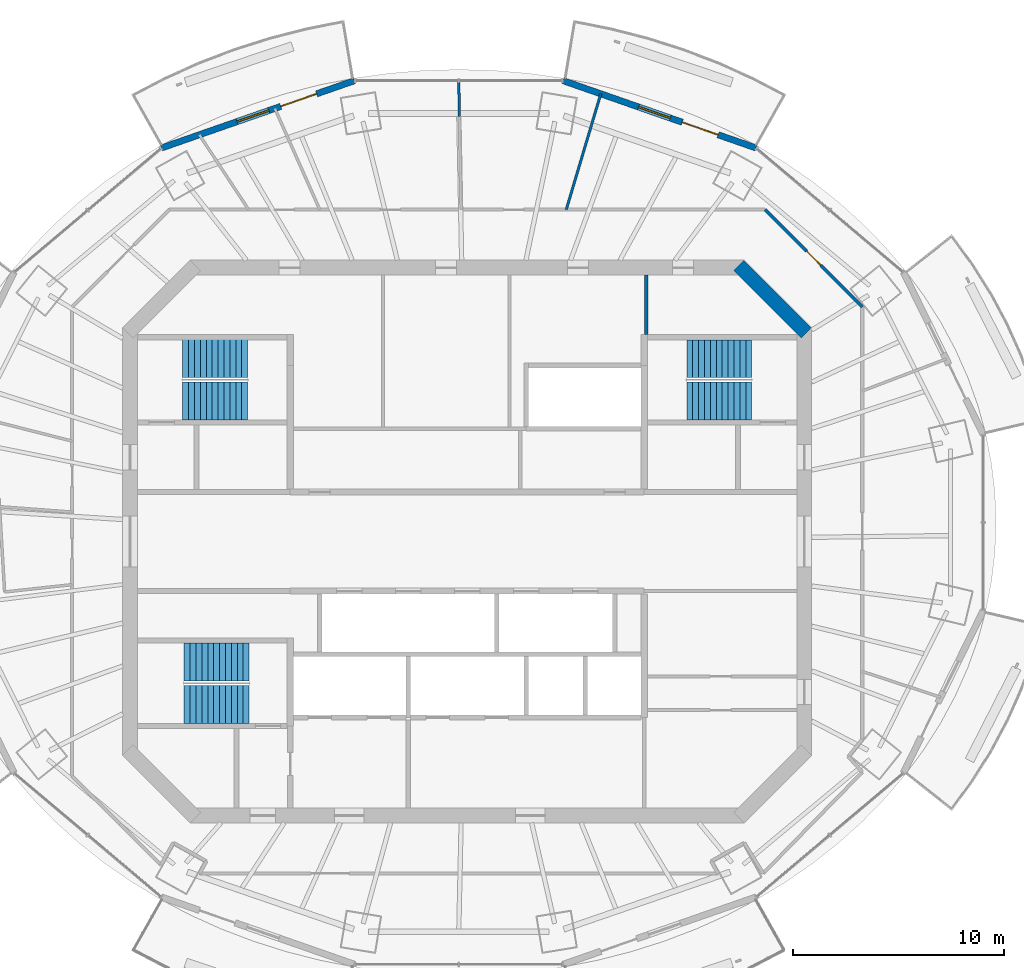
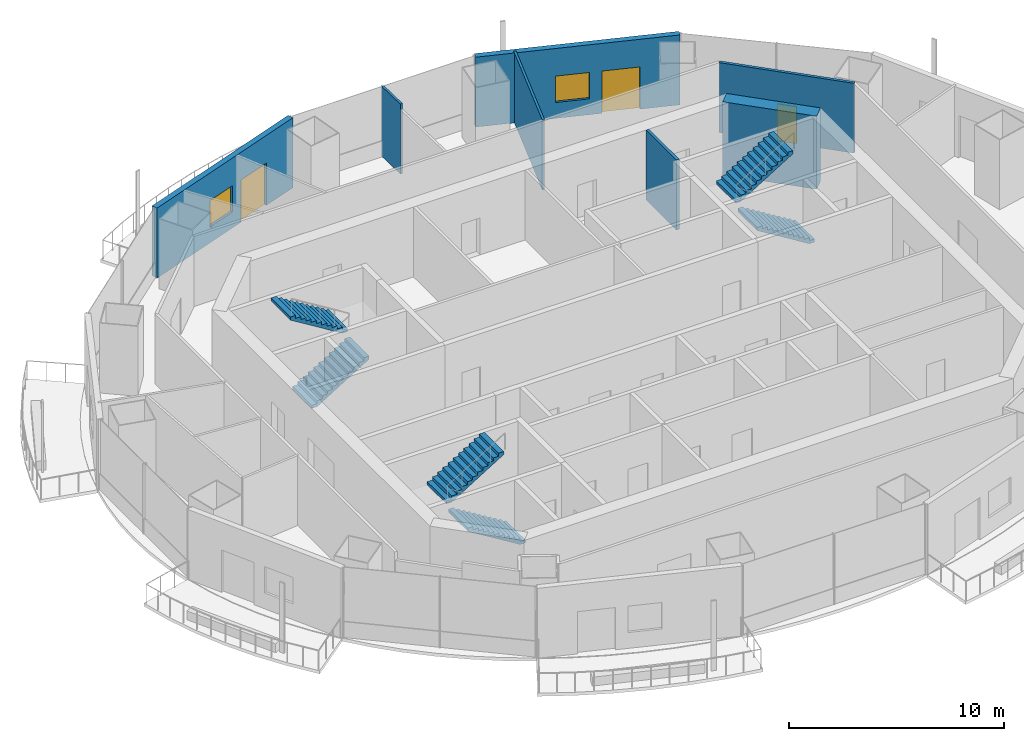
# One storey, part 11 of 15: 7 walls, 6 stair flights, 3 doors, 2 windows, 5 openings, 3 elements without a shape of their own.
"""IFC4 building model written with IfcOpenShell, lengths in metres."""

from ifc_helpers import new_model, si_unit, direction, frame, frame_2d, origin, place, context, subcontext, project, spatial, polyline, rectangle, outline, extrude, material, layer, layer_set, type_object, element, fill, aggregate, save


model = new_model("IFC4")

# Units and contexts
model_context = context("Model", 3, precision=1e-05, world=origin(), true_north=direction((0.0, 1.0)))
body_context = subcontext(model_context, "Body", "Model", "MODEL_VIEW")
ifc_project = project(units=[si_unit("LENGTHUNIT", "METRE"), si_unit("AREAUNIT", "SQUARE_METRE"), si_unit("VOLUMEUNIT", "CUBIC_METRE"), si_unit("PLANEANGLEUNIT", "RADIAN"), si_unit("MASSUNIT", "GRAM", prefix="KILO")], contexts=[model_context])

# Site, building, storey
site_placement = place(None, origin())
site = spatial("IfcSite", under=ifc_project, at=site_placement, CompositionType="ELEMENT")
building_placement = place(site_placement, origin())
building = spatial("IfcBuilding", under=site, at=building_placement, Name="Marenthal Gate Tower", CompositionType="ELEMENT")
storey_placement = place(building_placement, frame((0.0, 0.0, 388.25)))
storey = spatial("IfcBuildingStorey", under=building, at=storey_placement, Name="L88", CompositionType="ELEMENT", Elevation=388.25)

# Walls
ifc_material_1 = material(Name="Concrete 60 MPa", Category="concrete")
ifc_layer_1 = layer(ifc_material_1, 0.699951171875)
ifc_layer_set_1 = layer_set([ifc_layer_1], Name="Core shear wall 700")
wall_type_1 = type_object("IfcWallType", Name="Core shear wall 700", PredefinedType="SHEAR", material=ifc_layer_set_1)
wall_1_placement = place(storey_placement, frame((16.1025390625, 9.8974609375, -0.179931640625), z_axis=(0.0, 0.0, 1.0), x_axis=(-0.707106781187, 0.707106781187, 0.0)))
element("IfcWall", 1, at=wall_1_placement, inside=storey, type_object=wall_type_1, Name="Core wall 03", PredefinedType="SHEAR", context=body_context, shape_type="SweptSolid", body=[
    extrude(rectangle(XDim=4.53271484375, YDim=0.699951171875, at=frame_2d((2.266357421875, 0.0))), origin(), (0.0, 0.0, 1.0), 4.14990234375),
])
ifc_material_2 = material(Name="Gypsum board on steel studs", Category="steel")
ifc_layer_2 = layer(ifc_material_2, 0.1201171875)
ifc_layer_set_2 = layer_set([ifc_layer_2], Name="Partition 120")
wall_type_2 = type_object("IfcWallType", Name="Partition 120", PredefinedType="PARTITIONING", material=ifc_layer_set_2)
wall_2_placement = place(storey_placement, frame((-0.369140625, 20.1806640625, 0.0), z_axis=(0.0, 0.0, 1.0), x_axis=(-0.018215600688, 0.999834082181, 0.0)))
element("IfcWall", 2, at=wall_2_placement, inside=storey, type_object=wall_type_2, Name="Partition wall 79", PredefinedType="PARTITIONING", context=body_context, shape_type="SweptSolid", body=[
    extrude(rectangle(XDim=1.688720703125, YDim=0.1201171875, at=frame_2d((0.84423828125, 0.0))), origin(), (0.0, 0.0, 1.0), 3.969970703125),
])
wall_3_placement = place(storey_placement, frame((4.70068359375, 15.75, 0.0), z_axis=(0.0, 0.0, 1.0), x_axis=(0.285976596547, 0.958236602425, 0.0)))
element("IfcWall", 3, at=wall_3_placement, inside=storey, type_object=wall_type_2, Name="Partition wall 66", PredefinedType="PARTITIONING", context=body_context, shape_type="SweptSolid", body=[
    extrude(rectangle(XDim=5.734375, YDim=0.1201171875, at=frame_2d((2.8671875, 0.0))), origin(), (0.0, 0.0, 1.0), 3.969970703125),
])
ifc_material_3 = material(Name="Gypsum board on steel studs", Category="steel")
ifc_layer_3 = layer(ifc_material_3, 0.14990234375)
ifc_layer_set_3 = layer_set([ifc_layer_3], Name="Partition 150")
wall_type_3 = type_object("IfcWallType", Name="Partition 150", PredefinedType="PARTITIONING", material=ifc_layer_set_3)
wall_4_placement = place(storey_placement, frame((8.5, 9.824951171875, 0.0), z_axis=(0.0, 0.0, 1.0), x_axis=(0.0, 1.0, 0.0)))
element("IfcWall", 4, at=wall_4_placement, inside=storey, type_object=wall_type_3, Name="Partition wall 50", PredefinedType="PARTITIONING", context=body_context, shape_type="SweptSolid", body=[
    extrude(rectangle(XDim=2.824951171875, YDim=0.14990234375, at=frame_2d((1.41259765625, 0.0))), origin(), (0.0, 0.0, 1.0), 3.969970703125),
])

# Wall, opening, door
wall_5_placement = place(storey_placement, frame((14.13916015625, 15.75, 0.0), z_axis=(0.0, 0.0, 1.0), x_axis=(0.707106781187, -0.707106781187, 0.0)))
wall_5 = element("IfcWall", 5, at=wall_5_placement, inside=storey, type_object=wall_type_3, Name="Partition wall 71", PredefinedType="PARTITIONING", context=body_context, shape_type="SweptSolid", body=[
    extrude(rectangle(XDim=6.520751953125, YDim=0.14990234375, at=frame_2d((3.26025390625, 0.0))), origin(), (0.0, 0.0, 1.0), 3.969970703125),
])
opening_1_placement = place(wall_5_placement, frame((2.784912109375, 0.0, 0.0)))
opening_1 = element("IfcOpeningElement", 6, at=opening_1_placement, cuts=wall_5, Name="Opening D016.01", PredefinedType="OPENING", context=body_context, shape_type="SweptSolid", body=[
    extrude(rectangle(XDim=0.949951171875, YDim=2.10009765625, at=frame_2d((0.47509765625, 1.050048828125))), frame((0.0, 0.0849609375, 0.0), z_axis=(0.0, -1.0, 0.0), x_axis=(1.0, 0.0, 0.0)), (0.0, 0.0, 1.0), 0.169921875),
])
ifc_material_4 = material(Name="Timber door", Category="wood")
door_type_1 = type_object("IfcDoorType", Name="Door 950 x 2100", OperationType="NOTDEFINED", PredefinedType="DOOR", material=ifc_material_4)
door_1_placement = place(opening_1_placement, origin())
door_1 = element("IfcDoor", 7, at=door_1_placement, inside=storey, type_object=door_type_1, Name="Door D016.01", OperationType="SINGLE_SWING_RIGHT", OverallHeight=2.10009765625, OverallWidth=0.949951171875, PredefinedType="DOOR", context=body_context, shape_type="SweptSolid", body=[
    extrude(rectangle(XDim=0.949951171875, YDim=2.10009765625, at=frame_2d((0.47509765625, 1.050048828125))), frame((0.0, 0.02490234375, 0.0), z_axis=(0.0, -1.0, 0.0), x_axis=(1.0, 0.0, 0.0)), (0.0, 0.0, 1.0), 0.050048828125),
])
fill(opening_1, door_1)

# Wall, openings, door, window
ifc_material_5 = material(Name="Terracotta cladding on insulated concrete-block backing", Category="masonry")
ifc_layer_4 = layer(ifc_material_5, 0.300048828125)
ifc_layer_set_4 = layer_set([ifc_layer_4], Name="Terracotta facade wall 300")
wall_type_4 = type_object("IfcWallType", Name="Terracotta facade wall 300", PredefinedType="SOLIDWALL", material=ifc_layer_set_4)
wall_6_placement = place(storey_placement, frame((13.700439453125, 18.6767578125, 0.0), z_axis=(0.0, 0.0, 1.0), x_axis=(-0.944174121216, 0.329446852809, 0.0)))
wall_6 = element("IfcWall", 8, at=wall_6_placement, inside=storey, type_object=wall_type_4, Name="Terracotta facade wall L88 bay 3", PredefinedType="SOLIDWALL", context=body_context, shape_type="SweptSolid", body=[
    extrude(rectangle(XDim=9.690185546875, YDim=0.300048828125, at=frame_2d((4.84521484375, 0.0))), origin(), (0.0, 0.0, 1.0), 3.969970703125),
])
opening_2_placement = place(wall_6_placement, frame((1.89990234375, 0.0, 0.0)))
opening_2 = element("IfcOpeningElement", 9, at=opening_2_placement, cuts=wall_6, Name="Opening BD-L88-03", PredefinedType="OPENING", context=body_context, shape_type="SweptSolid", body=[
    extrude(rectangle(XDim=1.800048828125, YDim=2.39990234375, at=frame_2d((0.89990234375, 1.199951171875))), frame((0.0, 0.16015625, 0.0), z_axis=(0.0, -1.0, 0.0), x_axis=(1.0, 0.0, 0.0)), (0.0, 0.0, 1.0), 0.320068359375),
])
opening_3_placement = place(wall_6_placement, frame((4.300048828125, 0.0, 0.89990234375)))
opening_3 = element("IfcOpeningElement", 10, at=opening_3_placement, cuts=wall_6, Name="Opening WN3-L88-03", PredefinedType="OPENING", context=body_context, shape_type="SweptSolid", body=[
    extrude(rectangle(XDim=1.60009765625, YDim=1.5, at=frame_2d((0.800048828125, 0.75))), frame((0.0, 0.16015625, 0.0), z_axis=(0.0, -1.0, 0.0), x_axis=(1.0, 0.0, 0.0)), (0.0, 0.0, 1.0), 0.320068359375),
])
ifc_material_6 = material(Name="Aluminium and glass", Category="aluminium")
door_type_2 = type_object("IfcDoorType", Name="Balcony door 1800x2400", OperationType="DOUBLE_DOOR_SINGLE_SWING", PredefinedType="DOOR", material=ifc_material_6)
door_2_placement = place(opening_2_placement, origin())
door_2 = element("IfcDoor", 11, at=door_2_placement, inside=storey, type_object=door_type_2, Name="Balcony door L88 bay 3", OperationType="SINGLE_SWING_LEFT", OverallHeight=2.39990234375, OverallWidth=1.800048828125, PredefinedType="DOOR", context=body_context, shape_type="SweptSolid", body=[
    extrude(rectangle(XDim=1.800048828125, YDim=2.39990234375, at=frame_2d((0.89990234375, 1.199951171875))), frame((0.0, 0.02490234375, 0.0), z_axis=(0.0, -1.0, 0.0), x_axis=(1.0, 0.0, 0.0)), (0.0, 0.0, 1.0), 0.050048828125),
])
fill(opening_2, door_2)
ifc_material_7 = material(Name="Aluminium and glass", Category="aluminium")
window_type = type_object("IfcWindowType", Name="Window 1600x1500", PartitioningType="DOUBLE_PANEL_VERTICAL", PredefinedType="WINDOW", material=ifc_material_7)
window_1_placement = place(opening_3_placement, origin())
window_1 = element("IfcWindow", 12, at=window_1_placement, inside=storey, type_object=window_type, Name="Window L88 bay 3", OverallHeight=1.5, OverallWidth=1.60009765625, PartitioningType="SINGLE_PANEL", PredefinedType="WINDOW", context=body_context, shape_type="SweptSolid", body=[
    extrude(rectangle(XDim=1.60009765625, YDim=1.5, at=frame_2d((0.800048828125, 0.75))), frame((0.0, 0.030029296875, 0.0), z_axis=(0.0, -1.0, 0.0), x_axis=(1.0, 0.0, 0.0)), (0.0, 0.0, 1.0), 0.06005859375),
])
fill(opening_3, window_1)

wall_7_placement = place(storey_placement, frame((-5.351318359375, 21.869140625, 0.0), z_axis=(0.0, 0.0, 1.0), x_axis=(-0.944174121216, -0.329446852809, 0.0)))
wall_7 = element("IfcWall", 13, at=wall_7_placement, inside=storey, type_object=wall_type_4, Name="Terracotta facade wall L88 bay 5", PredefinedType="SOLIDWALL", context=body_context, shape_type="SweptSolid", body=[
    extrude(rectangle(XDim=9.690185546875, YDim=0.300048828125, at=frame_2d((4.84521484375, 0.0))), origin(), (0.0, 0.0, 1.0), 3.969970703125),
])
opening_4_placement = place(wall_7_placement, frame((1.89990234375, 0.0, 0.0)))
opening_4 = element("IfcOpeningElement", 14, at=opening_4_placement, cuts=wall_7, Name="Opening BD-L88-05", PredefinedType="OPENING", context=body_context, shape_type="SweptSolid", body=[
    extrude(rectangle(XDim=1.800048828125, YDim=2.39990234375, at=frame_2d((0.89990234375, 1.199951171875))), frame((0.0, 0.16015625, 0.0), z_axis=(0.0, -1.0, 0.0), x_axis=(1.0, 0.0, 0.0)), (0.0, 0.0, 1.0), 0.320068359375),
])
opening_5_placement = place(wall_7_placement, frame((4.300048828125, 0.0, 0.89990234375)))
opening_5 = element("IfcOpeningElement", 15, at=opening_5_placement, cuts=wall_7, Name="Opening WN3-L88-05", PredefinedType="OPENING", context=body_context, shape_type="SweptSolid", body=[
    extrude(rectangle(XDim=1.60009765625, YDim=1.5, at=frame_2d((0.800048828125, 0.75))), frame((0.0, 0.16015625, 0.0), z_axis=(0.0, -1.0, 0.0), x_axis=(1.0, 0.0, 0.0)), (0.0, 0.0, 1.0), 0.320068359375),
])
door_3_placement = place(opening_4_placement, origin())
door_3 = element("IfcDoor", 16, at=door_3_placement, inside=storey, type_object=door_type_2, Name="Balcony door L88 bay 5", OperationType="SINGLE_SWING_LEFT", OverallHeight=2.39990234375, OverallWidth=1.800048828125, PredefinedType="DOOR", context=body_context, shape_type="SweptSolid", body=[
    extrude(rectangle(XDim=1.800048828125, YDim=2.39990234375, at=frame_2d((0.89990234375, 1.199951171875))), frame((0.0, 0.02490234375, 0.0), z_axis=(0.0, -1.0, 0.0), x_axis=(1.0, 0.0, 0.0)), (0.0, 0.0, 1.0), 0.050048828125),
])
fill(opening_4, door_3)
window_2_placement = place(opening_5_placement, origin())
window_2 = element("IfcWindow", 17, at=window_2_placement, inside=storey, type_object=window_type, Name="Window L88 bay 5", OverallHeight=1.5, OverallWidth=1.60009765625, PartitioningType="SINGLE_PANEL", PredefinedType="WINDOW", context=body_context, shape_type="SweptSolid", body=[
    extrude(rectangle(XDim=1.60009765625, YDim=1.5, at=frame_2d((0.800048828125, 0.75))), frame((0.0, 0.030029296875, 0.0), z_axis=(0.0, -1.0, 0.0), x_axis=(1.0, 0.0, 0.0)), (0.0, 0.0, 1.0), 0.06005859375),
])
fill(opening_5, window_2)

# Stair, stair flights
ifc_material_8 = material(Name="Concrete 40 MPa", Category="concrete")
stair_type = type_object("IfcStairType", Name="Exit stair 1800", PredefinedType="HALF_TURN_STAIR", material=ifc_material_8)
stair_1_placement = place(storey_placement, origin())
stair_1 = element("IfcStair", 18, at=stair_1_placement, inside=storey, type_object=stair_type, Name="Stair ST1", PredefinedType="HALF_TURN_STAIR")
ifc_material_9 = material(Name="Concrete 40 MPa", Category="concrete")
stair_flight_type = type_object("IfcStairFlightType", Name="Stair flight 1800", PredefinedType="STRAIGHT", material=ifc_material_9)
stair_flight_1_placement = place(storey_placement, frame((-13.5, 6.675048828125, 0.0), z_axis=(0.0, 0.0, 1.0), x_axis=(1.0, 0.0, 0.0)))
stair_flight_1 = element("IfcStairFlight", 19, at=stair_flight_1_placement, type_object=stair_flight_type, Name="ST1 flight 1", NumberOfRisers=12, NumberOfTreads=11, PredefinedType="STRAIGHT", RiserHeight=0.172916667, TreadLength=0.28, context=body_context, shape_type="SweptSolid", body=[
    extrude(outline(polyline([(0.0, 0.0), (0.0, 0.1728515625), (0.280029296875, 0.1728515625), (0.280029296875, 0.345947265625), (0.56005859375, 0.345947265625), (0.56005859375, 0.518798828125), (0.840087890625, 0.518798828125), (0.840087890625, 0.691650390625), (1.1201171875, 0.691650390625), (1.1201171875, 0.864501953125), (1.39990234375, 0.864501953125), (1.39990234375, 1.03759765625), (1.679931640625, 1.03759765625), (1.679931640625, 1.21044921875), (1.9599609375, 1.21044921875), (1.9599609375, 1.38330078125), (2.239990234375, 1.38330078125), (2.239990234375, 1.55615234375), (2.52001953125, 1.55615234375), (2.52001953125, 1.729248046875), (2.800048828125, 1.729248046875), (2.800048828125, 1.902099609375), (3.080078125, 1.902099609375), (3.080078125, 2.074951171875), (3.080078125, 1.725830078125), (0.285400390625, 0.0), (0.0, 0.0)])), frame((0.0, 0.89990234375, 0.0), z_axis=(0.0, -1.0, 0.0), x_axis=(1.0, 0.0, 0.0)), (0.0, 0.0, 1.0), 1.800048828125),
])
stair_flight_2_placement = place(storey_placement, frame((-10.419921875, 8.675048828125, 2.074951171875), z_axis=(0.0, 0.0, 1.0), x_axis=(-1.0, 0.0, 0.0)))
stair_flight_2 = element("IfcStairFlight", 20, at=stair_flight_2_placement, type_object=stair_flight_type, Name="ST1 flight 2", NumberOfRisers=12, NumberOfTreads=11, PredefinedType="STRAIGHT", RiserHeight=0.172916667, TreadLength=0.28, context=body_context, shape_type="SweptSolid", body=[
    extrude(outline(polyline([(0.0, 0.0), (0.0, 0.1728515625), (0.280029296875, 0.1728515625), (0.280029296875, 0.345947265625), (0.56005859375, 0.345947265625), (0.56005859375, 0.518798828125), (0.840087890625, 0.518798828125), (0.840087890625, 0.691650390625), (1.1201171875, 0.691650390625), (1.1201171875, 0.864501953125), (1.39990234375, 0.864501953125), (1.39990234375, 1.03759765625), (1.679931640625, 1.03759765625), (1.679931640625, 1.21044921875), (1.9599609375, 1.21044921875), (1.9599609375, 1.38330078125), (2.239990234375, 1.38330078125), (2.239990234375, 1.55615234375), (2.52001953125, 1.55615234375), (2.52001953125, 1.729248046875), (2.800048828125, 1.729248046875), (2.800048828125, 1.902099609375), (3.080078125, 1.902099609375), (3.080078125, 2.074951171875), (3.080078125, 1.725830078125), (0.285400390625, 0.0), (0.0, 0.0)])), frame((0.0, 0.89990234375, 0.0), z_axis=(0.0, -1.0, 0.0), x_axis=(1.0, 0.0, 0.0)), (0.0, 0.0, 1.0), 1.800048828125),
])
aggregate(stair_1, [stair_flight_1, stair_flight_2])

stair_2_placement = place(storey_placement, origin())
stair_2 = element("IfcStair", 21, at=stair_2_placement, inside=storey, type_object=stair_type, Name="Stair ST2", PredefinedType="HALF_TURN_STAIR")
stair_flight_3_placement = place(storey_placement, frame((-10.35009765625, -7.72509765625, 0.0), z_axis=(0.0, 0.0, 1.0), x_axis=(-1.0, 0.0, 0.0)))
stair_flight_3 = element("IfcStairFlight", 22, at=stair_flight_3_placement, type_object=stair_flight_type, Name="ST2 flight 1", NumberOfRisers=12, NumberOfTreads=11, PredefinedType="STRAIGHT", RiserHeight=0.172916667, TreadLength=0.28, context=body_context, shape_type="SweptSolid", body=[
    extrude(outline(polyline([(0.0, 0.0), (0.0, 0.1728515625), (0.280029296875, 0.1728515625), (0.280029296875, 0.345947265625), (0.56005859375, 0.345947265625), (0.56005859375, 0.518798828125), (0.840087890625, 0.518798828125), (0.840087890625, 0.691650390625), (1.1201171875, 0.691650390625), (1.1201171875, 0.864501953125), (1.39990234375, 0.864501953125), (1.39990234375, 1.03759765625), (1.679931640625, 1.03759765625), (1.679931640625, 1.21044921875), (1.9599609375, 1.21044921875), (1.9599609375, 1.38330078125), (2.239990234375, 1.38330078125), (2.239990234375, 1.55615234375), (2.52001953125, 1.55615234375), (2.52001953125, 1.729248046875), (2.800048828125, 1.729248046875), (2.800048828125, 1.902099609375), (3.080078125, 1.902099609375), (3.080078125, 2.074951171875), (3.080078125, 1.725830078125), (0.285400390625, 0.0), (0.0, 0.0)])), frame((0.0, 0.89990234375, 0.0), z_axis=(0.0, -1.0, 0.0), x_axis=(1.0, 0.0, 0.0)), (0.0, 0.0, 1.0), 1.800048828125),
])
stair_flight_4_placement = place(storey_placement, frame((-13.429931640625, -5.72509765625, 2.074951171875), z_axis=(0.0, 0.0, 1.0), x_axis=(1.0, 0.0, 0.0)))
stair_flight_4 = element("IfcStairFlight", 23, at=stair_flight_4_placement, type_object=stair_flight_type, Name="ST2 flight 2", NumberOfRisers=12, NumberOfTreads=11, PredefinedType="STRAIGHT", RiserHeight=0.172916667, TreadLength=0.28, context=body_context, shape_type="SweptSolid", body=[
    extrude(outline(polyline([(0.0, 0.0), (0.0, 0.1728515625), (0.280029296875, 0.1728515625), (0.280029296875, 0.345947265625), (0.56005859375, 0.345947265625), (0.56005859375, 0.518798828125), (0.840087890625, 0.518798828125), (0.840087890625, 0.691650390625), (1.1201171875, 0.691650390625), (1.1201171875, 0.864501953125), (1.39990234375, 0.864501953125), (1.39990234375, 1.03759765625), (1.679931640625, 1.03759765625), (1.679931640625, 1.21044921875), (1.9599609375, 1.21044921875), (1.9599609375, 1.38330078125), (2.239990234375, 1.38330078125), (2.239990234375, 1.55615234375), (2.52001953125, 1.55615234375), (2.52001953125, 1.729248046875), (2.800048828125, 1.729248046875), (2.800048828125, 1.902099609375), (3.080078125, 1.902099609375), (3.080078125, 2.074951171875), (3.080078125, 1.725830078125), (0.285400390625, 0.0), (0.0, 0.0)])), frame((0.0, 0.89990234375, 0.0), z_axis=(0.0, -1.0, 0.0), x_axis=(1.0, 0.0, 0.0)), (0.0, 0.0, 1.0), 1.800048828125),
])
aggregate(stair_2, [stair_flight_3, stair_flight_4])

stair_3_placement = place(storey_placement, origin())
stair_3 = element("IfcStair", 24, at=stair_3_placement, inside=storey, type_object=stair_type, Name="Stair ST3", PredefinedType="HALF_TURN_STAIR")
stair_flight_5_placement = place(storey_placement, frame((13.5, 6.675048828125, 0.0), z_axis=(0.0, 0.0, 1.0), x_axis=(-1.0, 0.0, 0.0)))
stair_flight_5 = element("IfcStairFlight", 25, at=stair_flight_5_placement, type_object=stair_flight_type, Name="ST3 flight 1", NumberOfRisers=12, NumberOfTreads=11, PredefinedType="STRAIGHT", RiserHeight=0.172916667, TreadLength=0.28, context=body_context, shape_type="SweptSolid", body=[
    extrude(outline(polyline([(0.0, 0.0), (0.0, 0.1728515625), (0.280029296875, 0.1728515625), (0.280029296875, 0.345947265625), (0.56005859375, 0.345947265625), (0.56005859375, 0.518798828125), (0.840087890625, 0.518798828125), (0.840087890625, 0.691650390625), (1.1201171875, 0.691650390625), (1.1201171875, 0.864501953125), (1.39990234375, 0.864501953125), (1.39990234375, 1.03759765625), (1.679931640625, 1.03759765625), (1.679931640625, 1.21044921875), (1.9599609375, 1.21044921875), (1.9599609375, 1.38330078125), (2.239990234375, 1.38330078125), (2.239990234375, 1.55615234375), (2.52001953125, 1.55615234375), (2.52001953125, 1.729248046875), (2.800048828125, 1.729248046875), (2.800048828125, 1.902099609375), (3.080078125, 1.902099609375), (3.080078125, 2.074951171875), (3.080078125, 1.725830078125), (0.285400390625, 0.0), (0.0, 0.0)])), frame((0.0, 0.89990234375, 0.0), z_axis=(0.0, -1.0, 0.0), x_axis=(1.0, 0.0, 0.0)), (0.0, 0.0, 1.0), 1.800048828125),
])
stair_flight_6_placement = place(storey_placement, frame((10.419921875, 8.675048828125, 2.074951171875), z_axis=(0.0, 0.0, 1.0), x_axis=(1.0, 0.0, 0.0)))
stair_flight_6 = element("IfcStairFlight", 26, at=stair_flight_6_placement, type_object=stair_flight_type, Name="ST3 flight 2", NumberOfRisers=12, NumberOfTreads=11, PredefinedType="STRAIGHT", RiserHeight=0.172916667, TreadLength=0.28, context=body_context, shape_type="SweptSolid", body=[
    extrude(outline(polyline([(0.0, 0.0), (0.0, 0.1728515625), (0.280029296875, 0.1728515625), (0.280029296875, 0.345947265625), (0.56005859375, 0.345947265625), (0.56005859375, 0.518798828125), (0.840087890625, 0.518798828125), (0.840087890625, 0.691650390625), (1.1201171875, 0.691650390625), (1.1201171875, 0.864501953125), (1.39990234375, 0.864501953125), (1.39990234375, 1.03759765625), (1.679931640625, 1.03759765625), (1.679931640625, 1.21044921875), (1.9599609375, 1.21044921875), (1.9599609375, 1.38330078125), (2.239990234375, 1.38330078125), (2.239990234375, 1.55615234375), (2.52001953125, 1.55615234375), (2.52001953125, 1.729248046875), (2.800048828125, 1.729248046875), (2.800048828125, 1.902099609375), (3.080078125, 1.902099609375), (3.080078125, 2.074951171875), (3.080078125, 1.725830078125), (0.285400390625, 0.0), (0.0, 0.0)])), frame((0.0, 0.89990234375, 0.0), z_axis=(0.0, -1.0, 0.0), x_axis=(1.0, 0.0, 0.0)), (0.0, 0.0, 1.0), 1.800048828125),
])
aggregate(stair_3, [stair_flight_5, stair_flight_6])

save(model, "model.ifc")
